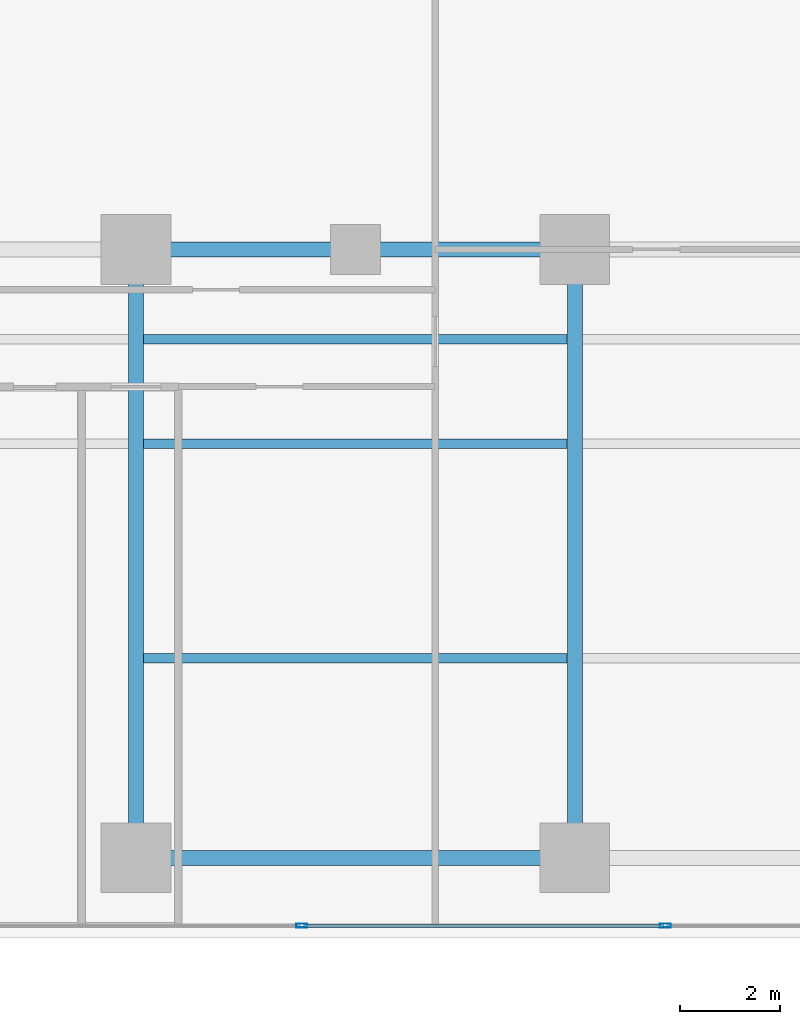
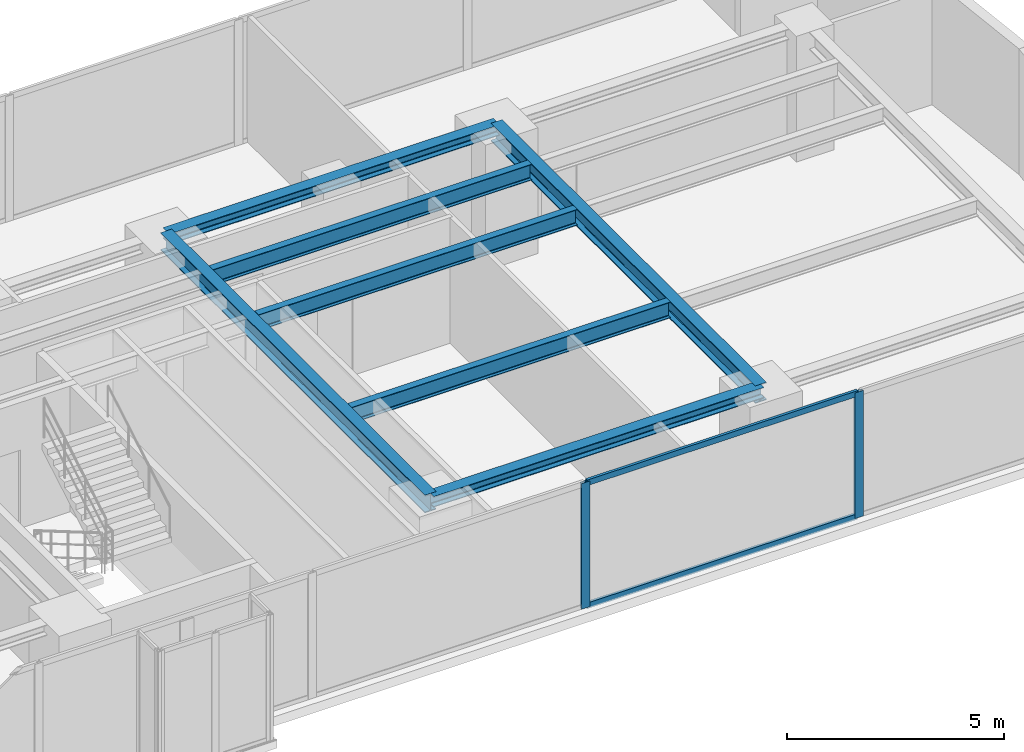
# One storey, part 11 of 24: 7 beams, 4 members, 1 element without a shape of its own.
"""IFC4 building model written with IfcOpenShell, lengths in metres."""

from ifc_helpers import new_model, si_unit, direction, frame, origin, origin_with_axes, origin_2d, place, context, subcontext, project, spatial, hollow_rectangle, i_section, extrude, source, transform, mapped, material, layer, layer_set, material_profile, profile_set, type_object, element, aggregate, save


model = new_model("IFC4")

# Units and contexts
model_context = context("Model", 3, precision=1e-05, world=origin(), true_north=direction((0.0, 1.0)))
body_context = subcontext(model_context, "Body", "Model", "MODEL_VIEW")
ifc_project = project(units=[si_unit("LENGTHUNIT", "METRE"), si_unit("AREAUNIT", "SQUARE_METRE"), si_unit("VOLUMEUNIT", "CUBIC_METRE"), si_unit("PLANEANGLEUNIT", "RADIAN"), si_unit("MASSUNIT", "GRAM", prefix="KILO")], contexts=[model_context])

# Site, building, storey
site_placement = place(None, origin())
site = spatial("IfcSite", under=ifc_project, at=site_placement, CompositionType="ELEMENT")
building_placement = place(site_placement, origin())
building = spatial("IfcBuilding", under=site, at=building_placement, Name="Kolvaren Waterfront Exchange", CompositionType="ELEMENT")
storey_placement = place(building_placement, frame((0.0, 0.0, 95.5)))
storey = spatial("IfcBuildingStorey", under=building, at=storey_placement, Name="L24", CompositionType="ELEMENT", Elevation=95.5)

# Beams
ifc_material_1 = material(Name="Steel S355", Category="steel")
ifc_material_profile_1 = material_profile(ifc_material_1, i_section(OverallWidth=0.300048828125, OverallDepth=0.300048828125, WebThickness=0.010986328125, FlangeThickness=0.01904296875, FilletRadius=0.027099609375, at=origin_2d()), Name="HEB300")
ifc_profile_set_1 = profile_set([ifc_material_profile_1], Name="Steel S355")
beam_type_1 = type_object("IfcBeamType", Name="STR-BM-HEB300", PredefinedType="SPANDREL", material=ifc_profile_set_1)
for number, where, z_axis, x_axis, name in (
    (1, (36.800048828125, 5.199951171875, 3.389892578125), (1.0, 0.0, 0.0), (0.0, 1.0, 0.0), "L24 east-arm spandrel S3"),
    (2, (36.800048828125, 17.39990234375, 3.389892578125), (1.0, 0.0, 0.0), (0.0, 1.0, 0.0), "L24 east-arm spandrel N3"),
):
    element("IfcBeam", number, at=place(storey_placement, frame(where, z_axis=z_axis, x_axis=x_axis)), inside=storey, type_object=beam_type_1, Name=name, PredefinedType="SPANDREL", context=body_context, shape_type="SweptSolid", body=[
        extrude(i_section(OverallWidth=0.300048828125, OverallDepth=0.300048828125, WebThickness=0.010986328125, FlangeThickness=0.01904296875, FilletRadius=0.027099609375, at=origin_2d()), origin(), (0.0, 0.0, 1.0), 8.800048828125),
    ])
ifc_material_profile_2 = material_profile(ifc_material_1, i_section(OverallWidth=0.300048828125, OverallDepth=0.5, WebThickness=0.014404296875, FlangeThickness=0.028076171875, FilletRadius=0.027099609375, at=origin_2d()), Name="HEB500")
ifc_profile_set_2 = profile_set([ifc_material_profile_2], Name="Steel S355")
beam_type_2 = type_object("IfcBeamType", Name="STR-BM-HEB500", PredefinedType="BEAM", material=ifc_profile_set_2)
for number, where, z_axis, x_axis, name in (
    (3, (36.800048828125, 5.199951171875, 3.2900390625), (0.0, 1.0, 0.0), (-1.0, 0.0, 0.0), "L24 east-arm transverse girder X36"),
    (4, (45.60009765625, 5.199951171875, 3.2900390625), (0.0, 1.0, 0.0), (-1.0, 0.0, 0.0), "L24 east-arm transverse girder X45"),
):
    element("IfcBeam", number, at=place(storey_placement, frame(where, z_axis=z_axis, x_axis=x_axis)), inside=storey, type_object=beam_type_2, Name=name, PredefinedType="BEAM", context=body_context, shape_type="SweptSolid", body=[
        extrude(i_section(OverallWidth=0.300048828125, OverallDepth=0.5, WebThickness=0.014404296875, FlangeThickness=0.028076171875, FilletRadius=0.027099609375, at=origin_2d()), origin(), (0.0, 0.0, 1.0), 12.199951171875),
    ])
ifc_material_profile_3 = material_profile(ifc_material_1, i_section(OverallWidth=0.18994140625, OverallDepth=0.449951171875, WebThickness=0.009521484375, FlangeThickness=0.0146484375, FilletRadius=0.02099609375, at=origin_2d()), Name="IPE450")
ifc_profile_set_3 = profile_set([ifc_material_profile_3], Name="Steel S355")
beam_type_3 = type_object("IfcBeamType", Name="STR-BM-IPE450", PredefinedType="JOIST", material=ifc_profile_set_3)
for number, where, z_axis, x_axis, name in (
    (5, (36.951904296875, 13.5, 3.31494140625), (1.0, 0.0, 0.0), (0.0, 1.0, 0.0), "L24 east-arm composite joist 3A"),
    (6, (36.951904296875, 15.60009765625, 3.31494140625), (1.0, 0.0, 0.0), (0.0, 1.0, 0.0), "L24 east-arm composite joist 3C"),
    (7, (36.951904296875, 9.199951171875, 3.31494140625), (1.0, 0.0, 0.0), (0.0, 1.0, 0.0), "L24 east-arm composite joist 3B"),
):
    element("IfcBeam", number, at=place(storey_placement, frame(where, z_axis=z_axis, x_axis=x_axis)), inside=storey, type_object=beam_type_3, Name=name, PredefinedType="JOIST", context=body_context, shape_type="SweptSolid", body=[
        extrude(i_section(OverallWidth=0.18994140625, OverallDepth=0.449951171875, WebThickness=0.009521484375, FlangeThickness=0.0146484375, FilletRadius=0.02099609375, at=origin_2d()), origin(), (0.0, 0.0, 1.0), 8.49609375),
    ])

# Curtain wall, members
ifc_material_2 = material(Name="Anodised bronze aluminium 6063-T6", Category="aluminium")
ifc_layer = layer(ifc_material_2, 0.219970703125, Name="Anodised bronze aluminium 6063-T6")
ifc_layer_set = layer_set([ifc_layer], Name="Anodised bronze aluminium 6063-T6")
curtain_wall_type = type_object("IfcCurtainWallType", Name="ARC-CW-SYS1", PredefinedType="USERDEFINED", material=ifc_layer_set)
curtain_wall_placement = place(storey_placement, origin())
curtain_wall = element("IfcCurtainWall", 8, at=curtain_wall_placement, inside=storey, type_object=curtain_wall_type, Name="L24 stick curtain wall CW1 (CW-L24-S)", ObjectType="STICK CURTAIN WALL", PredefinedType="USERDEFINED")
ifc_material_3 = material(Name="Anodised aluminium 6063-T6", Category="aluminium")
ifc_material_profile_4 = material_profile(ifc_material_3, hollow_rectangle(XDim=0.080078125, YDim=0.219970703125, WallThickness=0.0048828125, at=origin_2d()), Name="ALU-MUL-220x80x5")
ifc_profile_set_4 = profile_set([ifc_material_profile_4], Name="Anodised aluminium 6063-T6")
member_type_1 = type_object("IfcMemberType", Name="ARC-CWM-220", PredefinedType="MULLION", material=ifc_profile_set_4)
shared_shape_1 = source(origin_with_axes(), body_context, "Body", "SweptSolid", [
    extrude(hollow_rectangle(XDim=0.080078125, YDim=0.219970703125, WallThickness=0.0048828125, at=origin_2d()), origin(), (0.0, 0.0, 1.0), 3.5400390625),
])
member_1_placement = place(storey_placement, frame((40.128662109375, 3.840087890625, 0.0), z_axis=(0.0, 0.0, 1.0), x_axis=(0.0, 1.0, 0.0)))
member_1 = element("IfcMember", 9, at=member_1_placement, type_object=member_type_1, Name="CW1 mullion 6", PredefinedType="MULLION", context=body_context, shape_type="MappedRepresentation", body=[
    mapped(shared_shape_1, transform((0.0, 0.0, 0.0), x_axis=(1.0, 0.0, 0.0), y_axis=(0.0, 1.0, 0.0), z_axis=(0.0, 0.0, 1.0), scale=1.0)),
])
member_2_placement = place(storey_placement, frame((47.414306640625, 3.840087890625, 0.0), z_axis=(0.0, 0.0, 1.0), x_axis=(0.0, 1.0, 0.0)))
member_2 = element("IfcMember", 10, at=member_2_placement, type_object=member_type_1, Name="CW1 mullion 7", PredefinedType="MULLION", context=body_context, shape_type="MappedRepresentation", body=[
    mapped(shared_shape_1, transform((0.0, 0.0, 0.0), x_axis=(1.0, 0.0, 0.0), y_axis=(0.0, 1.0, 0.0), z_axis=(0.0, 0.0, 1.0), scale=1.0)),
])
ifc_material_profile_5 = material_profile(ifc_material_3, hollow_rectangle(XDim=0.074951171875, YDim=0.159912109375, WallThickness=0.00439453125, at=origin_2d()), Name="ALU-TRN-160x75x4.5")
ifc_profile_set_5 = profile_set([ifc_material_profile_5], Name="Anodised aluminium 6063-T6")
member_type_2 = type_object("IfcMemberType", Name="ARC-CWT-160", PredefinedType="USERDEFINED", material=ifc_profile_set_5)
shared_shape_2 = source(origin_with_axes(), body_context, "Body", "SweptSolid", [
    extrude(hollow_rectangle(XDim=0.074951171875, YDim=0.159912109375, WallThickness=0.00439453125, at=origin_2d()), origin(), (0.0, 0.0, 1.0), 7.205810546875),
])
member_3_placement = place(storey_placement, frame((40.16845703125, 3.840087890625, 0.03759765625), z_axis=(1.0, 0.0, 0.0), x_axis=(0.0, 1.0, 0.0)))
member_3 = element("IfcMember", 11, at=member_3_placement, type_object=member_type_2, Name="CW1 transom 6.1", ObjectType="TRANSOM", PredefinedType="USERDEFINED", context=body_context, shape_type="MappedRepresentation", body=[
    mapped(shared_shape_2, transform((0.0, 0.0, 0.0), x_axis=(1.0, 0.0, 0.0), y_axis=(0.0, 1.0, 0.0), z_axis=(0.0, 0.0, 1.0), scale=1.0)),
])
member_4_placement = place(storey_placement, frame((40.16845703125, 3.840087890625, 3.50244140625), z_axis=(1.0, 0.0, 0.0), x_axis=(0.0, 1.0, 0.0)))
member_4 = element("IfcMember", 12, at=member_4_placement, type_object=member_type_2, Name="CW1 transom 6.2", ObjectType="TRANSOM", PredefinedType="USERDEFINED", context=body_context, shape_type="MappedRepresentation", body=[
    mapped(shared_shape_2, transform((0.0, 0.0, 0.0), x_axis=(1.0, 0.0, 0.0), y_axis=(0.0, 1.0, 0.0), z_axis=(0.0, 0.0, 1.0), scale=1.0)),
])
aggregate(curtain_wall, [member_1, member_2, member_3, member_4])

save(model, "model.ifc")
